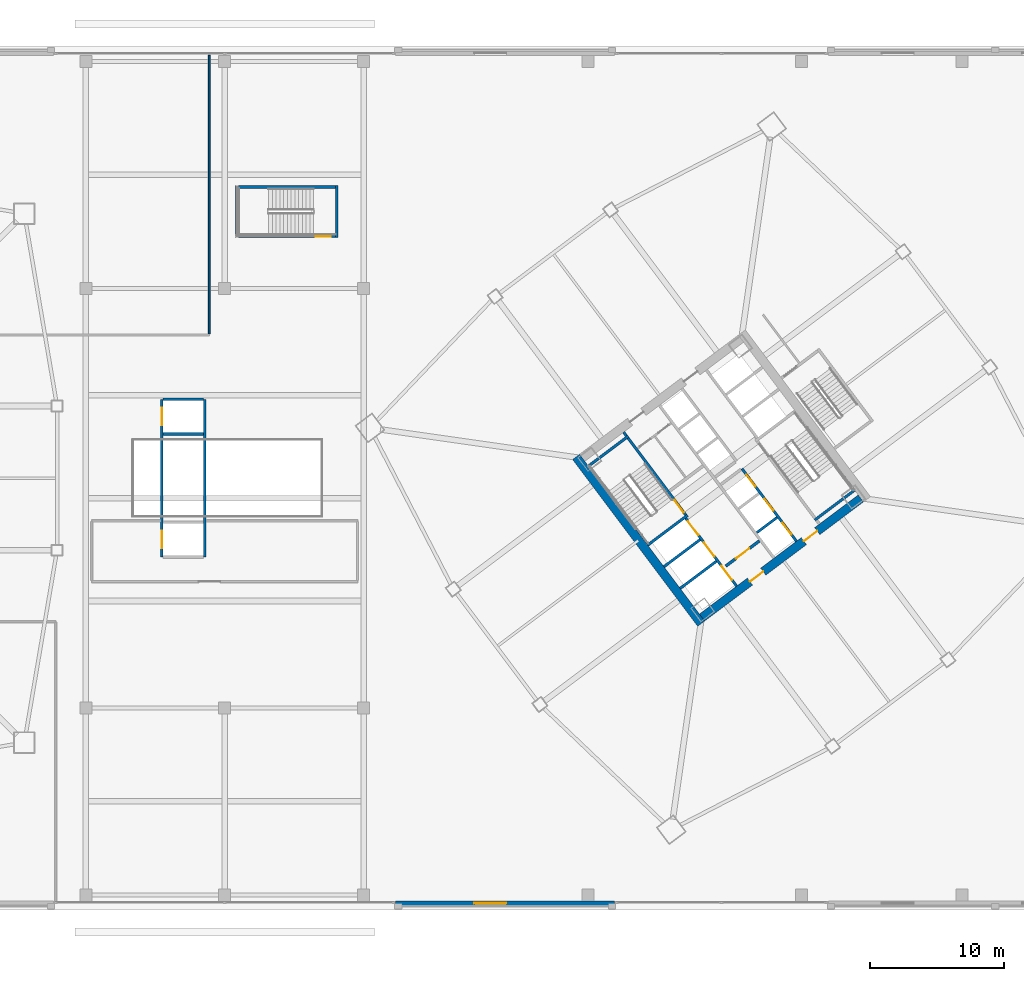
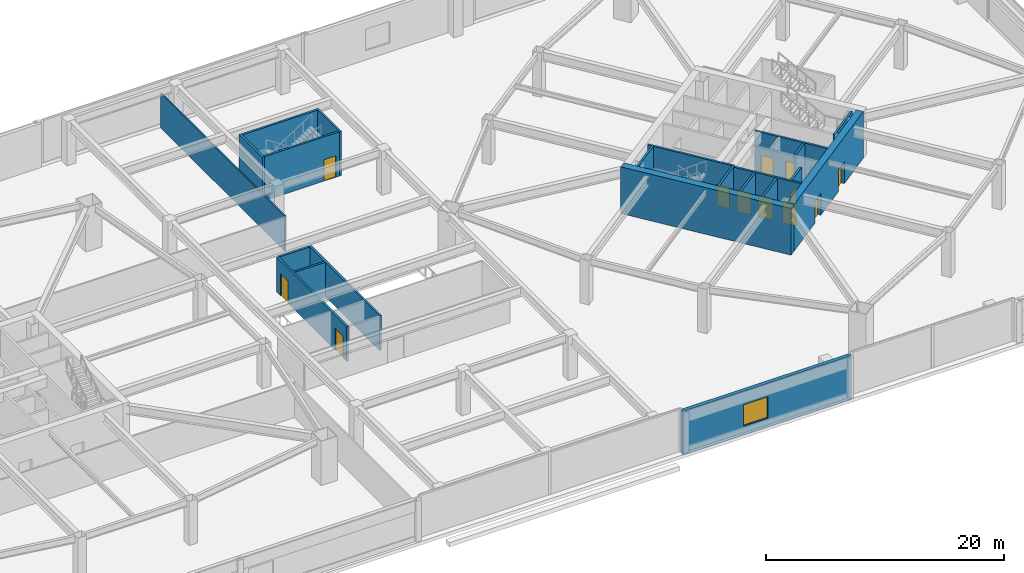
# One storey, part 32 of 44: 22 walls, 13 doors, 1 window, 14 openings.
"""IFC4 building model written with IfcOpenShell, lengths in metres."""

from ifc_helpers import new_model, si_unit, direction, frame, frame_2d, origin, place, context, subcontext, project, spatial, rectangle, extrude, material, layer, layer_set, type_object, element, fill, save


model = new_model("IFC4")

# Units and contexts
model_context = context("Model", 3, precision=1e-05, world=origin(), true_north=direction((0.0, 1.0)))
body_context = subcontext(model_context, "Body", "Model", "MODEL_VIEW")
ifc_project = project(units=[si_unit("LENGTHUNIT", "METRE"), si_unit("AREAUNIT", "SQUARE_METRE"), si_unit("VOLUMEUNIT", "CUBIC_METRE"), si_unit("PLANEANGLEUNIT", "RADIAN"), si_unit("MASSUNIT", "GRAM", prefix="KILO")], contexts=[model_context])

# Site, building, storey
site_placement = place(None, origin())
site = spatial("IfcSite", under=ifc_project, at=site_placement, CompositionType="ELEMENT")
building_placement = place(site_placement, origin())
building = spatial("IfcBuilding", under=site, at=building_placement, Name="Tashvorn Skyway Center", CompositionType="ELEMENT")
storey_placement = place(building_placement, frame((0.0, 0.0, 5.39990234375)))
storey = spatial("IfcBuildingStorey", under=building, at=storey_placement, Name="L01", CompositionType="ELEMENT", Elevation=5.39990234375)

# Wall
ifc_material_1 = material(Name="Concrete C60/75", Category="concrete")
ifc_layer_1 = layer(ifc_material_1, 0.64990234375)
ifc_layer_set_1 = layer_set([ifc_layer_1], Name="Concrete C60/75")
wall_type_1 = type_object("IfcWallType", Name="WALL-CORE-650", PredefinedType="SHEAR", material=ifc_layer_set_1)
wall_1_placement = place(storey_placement, frame((112.47607421875, 21.10693359375, 0.0), z_axis=(0.0, 0.0, 1.0), x_axis=(-0.600005007985, 0.799996243986, 0.0)))
element("IfcWall", 1, at=wall_1_placement, inside=storey, type_object=wall_type_1, Name="Tower 2 L01 West Core Shear Wall", PredefinedType="SHEAR", context=body_context, shape_type="SweptSolid", body=[
    extrude(rectangle(XDim=15.60009765625, YDim=0.64990234375, at=frame_2d((7.800048828125, 0.0))), origin(), (0.0, 0.0, 1.0), 4.800048828125),
])

# Wall, openings, doors
wall_2_placement = place(storey_placement, frame((124.428955078125, 30.47802734375, 0.0), z_axis=(0.0, 0.0, 1.0), x_axis=(-0.799998028465, -0.600002628705, 0.0)))
wall_2 = element("IfcWall", 2, at=wall_2_placement, inside=storey, type_object=wall_type_1, Name="Tower 2 L01 South Core Shear Wall", PredefinedType="SHEAR", context=body_context, shape_type="SweptSolid", body=[
    extrude(rectangle(XDim=14.85986328125, YDim=0.64990234375, at=frame_2d((7.429931640625, 0.0))), origin(), (0.0, 0.0, 1.0), 4.800048828125),
])
opening_1_placement = place(wall_2_placement, frame((9.1298828125, 0.0, 0.0)))
opening_1 = element("IfcOpeningElement", 3, at=opening_1_placement, cuts=wall_2, Name="Opening D-FFL-1250", PredefinedType="OPENING", context=body_context, shape_type="SweptSolid", body=[
    extrude(rectangle(XDim=1.25, YDim=2.25, at=frame_2d((0.625, 1.125))), frame((0.0, 0.3349609375, 0.0), z_axis=(0.0, -1.0, 0.0), x_axis=(1.0, 0.0, 0.0)), (0.0, 0.0, 1.0), 0.669921875),
])
opening_2_placement = place(wall_2_placement, frame((4.080078125, 0.0, 0.0)))
opening_2 = element("IfcOpeningElement", 4, at=opening_2_placement, cuts=wall_2, Name="Opening D-FFL-1250", PredefinedType="OPENING", context=body_context, shape_type="SweptSolid", body=[
    extrude(rectangle(XDim=1.25, YDim=2.25, at=frame_2d((0.625, 1.125))), frame((0.0, 0.3349609375, 0.0), z_axis=(0.0, -1.0, 0.0), x_axis=(1.0, 0.0, 0.0)), (0.0, 0.0, 1.0), 0.669921875),
])
ifc_material_2 = material(Name="Hollow galvanized steel fire door assembly", Category="steel")
door_type_1 = type_object("IfcDoorType", Name="DOOR-FFL-1250", OperationType="NOTDEFINED", PredefinedType="DOOR", material=ifc_material_2)
door_1_placement = place(opening_1_placement, origin())
door_1 = element("IfcDoor", 5, at=door_1_placement, inside=storey, type_object=door_type_1, Name="Tower 2 L01 Core South Firefighting Exit Door", OperationType="SINGLE_SWING_LEFT", OverallHeight=2.25, OverallWidth=1.25, PredefinedType="DOOR", context=body_context, shape_type="SweptSolid", body=[
    extrude(rectangle(XDim=1.25, YDim=2.25, at=frame_2d((0.625, 1.125))), frame((0.0, 0.02490234375, 0.0), z_axis=(0.0, -1.0, 0.0), x_axis=(1.0, 0.0, 0.0)), (0.0, 0.0, 1.0), 0.050048828125),
])
fill(opening_1, door_1)
door_2_placement = place(opening_2_placement, origin())
door_2 = element("IfcDoor", 6, at=door_2_placement, inside=storey, type_object=door_type_1, Name="Tower 2 L01 Core South Lift Lobby Door", OperationType="SINGLE_SWING_RIGHT", OverallHeight=2.25, OverallWidth=1.25, PredefinedType="DOOR", context=body_context, shape_type="SweptSolid", body=[
    extrude(rectangle(XDim=1.25, YDim=2.25, at=frame_2d((0.625, 1.125))), frame((0.0, 0.02490234375, 0.0), z_axis=(0.0, -1.0, 0.0), x_axis=(1.0, 0.0, 0.0)), (0.0, 0.0, 1.0), 0.050048828125),
])
fill(opening_2, door_2)

# Wall, opening, window
ifc_material_3 = material(Name="Precast concrete C40/50", Category="concrete")
ifc_layer_2 = layer(ifc_material_3, 0.35009765625)
ifc_layer_set_2 = layer_set([ifc_layer_2], Name="Precast concrete C40/50")
wall_type_2 = type_object("IfcWallType", Name="WALL-EXT-350", PredefinedType="SOLIDWALL", material=ifc_layer_set_2)
wall_3_placement = place(storey_placement, frame((106.0, 0.175048828125, 0.0), z_axis=(0.0, 0.0, 1.0), x_axis=(-1.0, 0.0, 0.0)))
wall_3 = element("IfcWall", 7, at=wall_3_placement, inside=storey, type_object=wall_type_2, Name="L01 South Postmodern Pier Wall M2", PredefinedType="SOLIDWALL", context=body_context, shape_type="SweptSolid", body=[
    extrude(rectangle(XDim=16.39990234375, YDim=0.35009765625, at=frame_2d((8.199951171875, 0.0))), origin(), (0.0, 0.0, 1.0), 4.5400390625),
])
opening_3_placement = place(wall_3_placement, frame((8.10009765625, 0.0, 0.949951171875)))
opening_3 = element("IfcOpeningElement", 8, at=opening_3_placement, cuts=wall_3, Name="Opening WIN-2400", PredefinedType="OPENING", context=body_context, shape_type="SweptSolid", body=[
    extrude(rectangle(XDim=2.39990234375, YDim=2.199951171875, at=frame_2d((1.199951171875, 1.10009765625))), frame((0.0, 0.18505859375, 0.0), z_axis=(0.0, -1.0, 0.0), x_axis=(1.0, 0.0, 0.0)), (0.0, 0.0, 1.0), 0.3701171875),
])
ifc_material_4 = material(Name="Low-E solar-control double insulating safety glass", Category="glass")
window_type = type_object("IfcWindowType", Name="WIN-POD-2400", PartitioningType="SINGLE_PANEL", PredefinedType="WINDOW", material=ifc_material_4)
window_placement = place(opening_3_placement, origin())
window = element("IfcWindow", 9, at=window_placement, inside=storey, type_object=window_type, Name="L01 South Station Pier Window 05", OverallHeight=2.199951171875, OverallWidth=2.39990234375, PartitioningType="SINGLE_PANEL", PredefinedType="WINDOW", context=body_context, shape_type="SweptSolid", body=[
    extrude(rectangle(XDim=2.39990234375, YDim=2.199951171875, at=frame_2d((1.199951171875, 1.10009765625))), frame((0.0, 0.030029296875, 0.0), z_axis=(0.0, -1.0, 0.0), x_axis=(1.0, 0.0, 0.0)), (0.0, 0.0, 1.0), 0.06005859375),
])
fill(opening_3, window)

# Wall, opening, door
ifc_material_5 = material(Name="Concrete C40/50", Category="concrete")
ifc_layer_3 = layer(ifc_material_5, 0.219970703125)
ifc_layer_set_3 = layer_set([ifc_layer_3], Name="Concrete C40/50")
wall_type_3 = type_object("IfcWallType", Name="WALL-FFL-220", PredefinedType="SOLIDWALL", material=ifc_layer_set_3)
wall_4_placement = place(storey_placement, frame((114.31591796875, 25.412109375, 0.0), z_axis=(0.0, 0.0, 1.0), x_axis=(0.800018601094, 0.59997519774, 0.0)))
wall_4 = element("IfcWall", 10, at=wall_4_placement, inside=storey, type_object=wall_type_3, Name="Tower 2 L01 Firefighting Lobby South Wall", PredefinedType="SOLIDWALL", context=body_context, shape_type="SweptSolid", body=[
    extrude(rectangle(XDim=3.14990234375, YDim=0.219970703125, at=frame_2d((1.574951171875, 0.0))), origin(), (0.0, 0.0, 1.0), 3.5830078125),
])
opening_4_placement = place(wall_4_placement, frame((0.949951171875, 0.0, 0.0)))
opening_4 = element("IfcOpeningElement", 11, at=opening_4_placement, cuts=wall_4, Name="Opening D-FFL-1250", PredefinedType="OPENING", context=body_context, shape_type="SweptSolid", body=[
    extrude(rectangle(XDim=1.25, YDim=2.25, at=frame_2d((0.625, 1.125))), frame((0.0, 0.119873046875, 0.0), z_axis=(0.0, -1.0, 0.0), x_axis=(1.0, 0.0, 0.0)), (0.0, 0.0, 1.0), 0.239990234375),
])
door_3_placement = place(opening_4_placement, origin())
door_3 = element("IfcDoor", 12, at=door_3_placement, inside=storey, type_object=door_type_1, Name="Tower 2 L01 Firefighting Lobby Egress Door", OperationType="SINGLE_SWING_LEFT", OverallHeight=2.25, OverallWidth=1.25, PredefinedType="DOOR", context=body_context, shape_type="SweptSolid", body=[
    extrude(rectangle(XDim=1.25, YDim=2.25, at=frame_2d((0.625, 1.125))), frame((0.0, 0.02490234375, 0.0), z_axis=(0.0, -1.0, 0.0), x_axis=(1.0, 0.0, 0.0)), (0.0, 0.0, 1.0), 0.050048828125),
])
fill(opening_4, door_3)

# Walls
ifc_material_6 = material(Name="Gypsum board on cold-formed steel stud framing", Category="steel")
ifc_layer_4 = layer(ifc_material_6, 0.135009765625)
ifc_layer_set_4 = layer_set([ifc_layer_4], Name="Gypsum board on cold-formed steel stud framing")
wall_type_4 = type_object("IfcWallType", Name="WALL-PART-135", PredefinedType="PARTITIONING", material=ifc_layer_set_4)
wall_5_placement = place(storey_placement, frame((75.64990234375, 42.800048828125, 0.0), z_axis=(0.0, 0.0, 1.0), x_axis=(0.0, 1.0, 0.0)))
element("IfcWall", 13, at=wall_5_placement, inside=storey, type_object=wall_type_4, Name="L01 North Suite East Wall", PredefinedType="PARTITIONING", context=body_context, shape_type="SweptSolid", body=[
    extrude(rectangle(XDim=20.849853515625, YDim=0.135009765625, at=frame_2d((10.4248046875, 0.0))), origin(), (0.0, 0.0, 1.0), 3.5830078125),
])
ifc_layer_5 = layer(ifc_material_5, 0.199951171875)
ifc_layer_set_5 = layer_set([ifc_layer_5], Name="Concrete C40/50")
wall_type_5 = type_object("IfcWallType", Name="WALL-SHAFT-200", PredefinedType="SOLIDWALL", material=ifc_layer_set_5)
for number, where, z_axis, x_axis, name in (
    (14, (110.906005859375, 23.741943359375, 0.0), (0.0, 0.0, 1.0), (0.8, 0.6, 0.0), "Tower 2 L01 FSAE Shaft Divider"),
    (15, (109.68798828125, 25.365966796875, 0.0), (0.0, 0.0, 1.0), (0.8, 0.6, 0.0), "Tower 2 L01 FSAE Shaft Divider"),
):
    element("IfcWall", number, at=place(storey_placement, frame(where, z_axis=z_axis, x_axis=x_axis)), inside=storey, type_object=wall_type_5, Name=name, PredefinedType="SOLIDWALL", context=body_context, shape_type="SweptSolid", body=[
        extrude(rectangle(XDim=3.380126953125, YDim=0.199951171875, at=frame_2d((1.68994140625, 0.0))), origin(), (0.0, 0.0, 1.0), 4.5400390625),
    ])

# Wall, openings, doors
wall_6_placement = place(storey_placement, frame((119.610107421875, 27.27001953125, 0.0), z_axis=(0.0, 0.0, 1.0), x_axis=(-0.600011488909, 0.79999138319, 0.0)))
wall_6 = element("IfcWall", 16, at=wall_6_placement, inside=storey, type_object=wall_type_5, Name="Tower 2 L01 Low-Rise Core Wall", PredefinedType="SOLIDWALL", context=body_context, shape_type="SweptSolid", body=[
    extrude(rectangle(XDim=6.800048828125, YDim=0.199951171875, at=frame_2d((3.39990234375, 0.0))), origin(), (0.0, 0.0, 1.0), 4.5400390625),
])
opening_5_placement = place(wall_6_placement, frame((0.625, 0.0, 0.0)))
opening_5 = element("IfcOpeningElement", 17, at=opening_5_placement, cuts=wall_6, Name="Opening LD-LR-T2-1-L01", PredefinedType="OPENING", context=body_context, shape_type="SweptSolid", body=[
    extrude(rectangle(XDim=1.10009765625, YDim=2.199951171875, at=frame_2d((0.550048828125, 1.10009765625))), frame((0.0, 0.10986328125, 0.0), z_axis=(0.0, -1.0, 0.0), x_axis=(1.0, 0.0, 0.0)), (0.0, 0.0, 1.0), 0.219970703125),
])
opening_6_placement = place(wall_6_placement, frame((2.875, 0.0, 0.0)))
opening_6 = element("IfcOpeningElement", 18, at=opening_6_placement, cuts=wall_6, Name="Opening LD-LR-T2-2-L01", PredefinedType="OPENING", context=body_context, shape_type="SweptSolid", body=[
    extrude(rectangle(XDim=1.10009765625, YDim=2.199951171875, at=frame_2d((0.550048828125, 1.10009765625))), frame((0.0, 0.10986328125, 0.0), z_axis=(0.0, -1.0, 0.0), x_axis=(1.0, 0.0, 0.0)), (0.0, 0.0, 1.0), 0.219970703125),
])
opening_7_placement = place(wall_6_placement, frame((5.125, 0.0, 0.0)))
opening_7 = element("IfcOpeningElement", 19, at=opening_7_placement, cuts=wall_6, Name="Opening LD-LR-T2-3-L01", PredefinedType="OPENING", context=body_context, shape_type="SweptSolid", body=[
    extrude(rectangle(XDim=1.10009765625, YDim=2.199951171875, at=frame_2d((0.550048828125, 1.10009765625))), frame((0.0, 0.10986328125, 0.0), z_axis=(0.0, -1.0, 0.0), x_axis=(1.0, 0.0, 0.0)), (0.0, 0.0, 1.0), 0.219970703125),
])
ifc_material_7 = material(Name="Stainless steel landing door", Category="steel")
door_type_2 = type_object("IfcDoorType", Name="DOOR-LIFT-1100", OperationType="SLIDING_TO_LEFT", PredefinedType="DOOR", material=ifc_material_7)
door_4_placement = place(opening_5_placement, origin())
door_4 = element("IfcDoor", 20, at=door_4_placement, inside=storey, type_object=door_type_2, Name="Lift LR-T2-1 L01 Landing Door", OperationType="SLIDING_TO_LEFT", OverallHeight=2.199951171875, OverallWidth=1.10009765625, PredefinedType="DOOR", context=body_context, shape_type="SweptSolid", body=[
    extrude(rectangle(XDim=1.10009765625, YDim=2.199951171875, at=frame_2d((0.550048828125, 1.10009765625))), frame((0.0, 0.02490234375, 0.0), z_axis=(0.0, -1.0, 0.0), x_axis=(1.0, 0.0, 0.0)), (0.0, 0.0, 1.0), 0.050048828125),
])
fill(opening_5, door_4)
door_5_placement = place(opening_6_placement, origin())
door_5 = element("IfcDoor", 21, at=door_5_placement, inside=storey, type_object=door_type_2, Name="Lift LR-T2-2 L01 Landing Door", OperationType="SLIDING_TO_LEFT", OverallHeight=2.199951171875, OverallWidth=1.10009765625, PredefinedType="DOOR", context=body_context, shape_type="SweptSolid", body=[
    extrude(rectangle(XDim=1.10009765625, YDim=2.199951171875, at=frame_2d((0.550048828125, 1.10009765625))), frame((0.0, 0.02490234375, 0.0), z_axis=(0.0, -1.0, 0.0), x_axis=(1.0, 0.0, 0.0)), (0.0, 0.0, 1.0), 0.050048828125),
])
fill(opening_6, door_5)
door_6_placement = place(opening_7_placement, origin())
door_6 = element("IfcDoor", 22, at=door_6_placement, inside=storey, type_object=door_type_2, Name="Lift LR-T2-3 L01 Landing Door", OperationType="SLIDING_TO_LEFT", OverallHeight=2.199951171875, OverallWidth=1.10009765625, PredefinedType="DOOR", context=body_context, shape_type="SweptSolid", body=[
    extrude(rectangle(XDim=1.10009765625, YDim=2.199951171875, at=frame_2d((0.550048828125, 1.10009765625))), frame((0.0, 0.02490234375, 0.0), z_axis=(0.0, -1.0, 0.0), x_axis=(1.0, 0.0, 0.0)), (0.0, 0.0, 1.0), 0.050048828125),
])
fill(opening_7, door_6)

# Wall
wall_7_placement = place(storey_placement, frame((116.64599609375, 27.922119140625, 0.0), z_axis=(0.0, 0.0, 1.0), x_axis=(0.8, 0.6, 0.0)))
element("IfcWall", 23, at=wall_7_placement, inside=storey, type_object=wall_type_5, Name="Tower 2 L01 Low-Rise Shaft Divider", PredefinedType="SOLIDWALL", context=body_context, shape_type="SweptSolid", body=[
    extrude(rectangle(XDim=1.8798828125, YDim=0.199951171875, at=frame_2d((0.93994140625, 0.0))), origin(), (0.0, 0.0, 1.0), 4.5400390625),
])

# Wall, openings, doors
wall_8_placement = place(storey_placement, frame((72.10009765625, 26.10009765625, 0.0), z_axis=(0.0, 0.0, 1.0), x_axis=(0.0, 1.0, 0.0)))
wall_8 = element("IfcWall", 24, at=wall_8_placement, inside=storey, type_object=wall_type_5, Name="L01 Station Lift Front Wall", PredefinedType="SOLIDWALL", context=body_context, shape_type="SweptSolid", body=[
    extrude(rectangle(XDim=11.7998046875, YDim=0.199951171875, at=frame_2d((5.89990234375, 0.0))), origin(), (0.0, 0.0, 1.0), 3.5830078125),
])
opening_8_placement = place(wall_8_placement, frame((0.64990234375, 0.0, 0.0)))
opening_8 = element("IfcOpeningElement", 25, at=opening_8_placement, cuts=wall_8, Name="Opening LD-STN-L1-L01", PredefinedType="OPENING", context=body_context, shape_type="SweptSolid", body=[
    extrude(rectangle(XDim=1.300048828125, YDim=2.25, at=frame_2d((0.64990234375, 1.125))), frame((0.0, 0.10986328125, 0.0), z_axis=(0.0, -1.0, 0.0), x_axis=(1.0, 0.0, 0.0)), (0.0, 0.0, 1.0), 0.219970703125),
])
opening_9_placement = place(wall_8_placement, frame((9.85009765625, 0.0, 0.0)))
opening_9 = element("IfcOpeningElement", 26, at=opening_9_placement, cuts=wall_8, Name="Opening LD-STN-L2-L01", PredefinedType="OPENING", context=body_context, shape_type="SweptSolid", body=[
    extrude(rectangle(XDim=1.300048828125, YDim=2.25, at=frame_2d((0.64990234375, 1.125))), frame((0.0, 0.10986328125, 0.0), z_axis=(0.0, -1.0, 0.0), x_axis=(1.0, 0.0, 0.0)), (0.0, 0.0, 1.0), 0.219970703125),
])
ifc_material_8 = material(Name="Stainless steel heavy-duty landing door", Category="steel")
door_type_3 = type_object("IfcDoorType", Name="DOOR-LIFT-1300", OperationType="SLIDING_TO_LEFT", PredefinedType="DOOR", material=ifc_material_8)
door_7_placement = place(opening_8_placement, origin())
door_7 = element("IfcDoor", 27, at=door_7_placement, inside=storey, type_object=door_type_3, Name="Station Lift STN-L1 L01 Landing Door", OperationType="SLIDING_TO_LEFT", OverallHeight=2.25, OverallWidth=1.300048828125, PredefinedType="DOOR", context=body_context, shape_type="SweptSolid", body=[
    extrude(rectangle(XDim=1.300048828125, YDim=2.25, at=frame_2d((0.64990234375, 1.125))), frame((0.0, 0.02490234375, 0.0), z_axis=(0.0, -1.0, 0.0), x_axis=(1.0, 0.0, 0.0)), (0.0, 0.0, 1.0), 0.050048828125),
])
fill(opening_8, door_7)
door_8_placement = place(opening_9_placement, origin())
door_8 = element("IfcDoor", 28, at=door_8_placement, inside=storey, type_object=door_type_3, Name="Station Lift STN-L2 L01 Landing Door", OperationType="SLIDING_TO_LEFT", OverallHeight=2.25, OverallWidth=1.300048828125, PredefinedType="DOOR", context=body_context, shape_type="SweptSolid", body=[
    extrude(rectangle(XDim=1.300048828125, YDim=2.25, at=frame_2d((0.64990234375, 1.125))), frame((0.0, 0.02490234375, 0.0), z_axis=(0.0, -1.0, 0.0), x_axis=(1.0, 0.0, 0.0)), (0.0, 0.0, 1.0), 0.050048828125),
])
fill(opening_9, door_8)

# Walls
wall_9_placement = place(storey_placement, frame((75.300048828125, 26.10009765625, 0.0), z_axis=(0.0, 0.0, 1.0), x_axis=(0.0, 1.0, 0.0)))
element("IfcWall", 29, at=wall_9_placement, inside=storey, type_object=wall_type_5, Name="L01 Station Lift Rear Wall", PredefinedType="SOLIDWALL", context=body_context, shape_type="SweptSolid", body=[
    extrude(rectangle(XDim=11.7998046875, YDim=0.199951171875, at=frame_2d((5.89990234375, 0.0))), origin(), (0.0, 0.0, 1.0), 3.5830078125),
])
for number, where, z_axis, x_axis, name in (
    (30, (72.199951171875, 35.300048828125, 0.0), (0.0, 0.0, 1.0), (1.0, 0.0, 0.0), "L01 Station Lift Divider"),
    (31, (72.199951171875, 37.89990234375, 0.0), (0.0, 0.0, 1.0), (1.0, 0.0, 0.0), "L01 Station Lift Divider"),
):
    element("IfcWall", number, at=place(storey_placement, frame(where, z_axis=z_axis, x_axis=x_axis)), inside=storey, type_object=wall_type_5, Name=name, PredefinedType="SOLIDWALL", context=body_context, shape_type="SweptSolid", body=[
        extrude(rectangle(XDim=3.0, YDim=0.199951171875, at=frame_2d((1.5, 0.0))), origin(), (0.0, 0.0, 1.0), 3.5830078125),
    ])

# Wall, opening, door
ifc_layer_6 = layer(ifc_material_5, 0.199951171875)
ifc_layer_set_6 = layer_set([ifc_layer_6], Name="Concrete C40/50")
wall_type_6 = type_object("IfcWallType", Name="WALL-STSHF-200", PredefinedType="SHEAR", material=ifc_layer_set_6)
wall_10_placement = place(storey_placement, frame((111.43994140625, 29.080078125, 0.0), z_axis=(0.0, 0.0, 1.0), x_axis=(-0.600009827119, 0.799992629566, 0.0)))
wall_10 = element("IfcWall", 32, at=wall_10_placement, inside=storey, type_object=wall_type_6, Name="Tower 2 L01 Stair 1 Enclosure Wall", PredefinedType="SHEAR", context=body_context, shape_type="SweptSolid", body=[
    extrude(rectangle(XDim=7.949951171875, YDim=0.199951171875, at=frame_2d((3.97509765625, 0.0))), origin(), (0.0, 0.0, 1.0), 4.5400390625),
])
opening_10_placement = place(wall_10_placement, frame((0.449951171875, 0.0, 0.0)))
opening_10 = element("IfcOpeningElement", 33, at=opening_10_placement, cuts=wall_10, Name="Opening D-ST-1150", PredefinedType="OPENING", context=body_context, shape_type="SweptSolid", body=[
    extrude(rectangle(XDim=1.14990234375, YDim=2.199951171875, at=frame_2d((0.574951171875, 1.10009765625))), frame((0.0, 0.10986328125, 0.0), z_axis=(0.0, -1.0, 0.0), x_axis=(1.0, 0.0, 0.0)), (0.0, 0.0, 1.0), 0.219970703125),
])
door_type_4 = type_object("IfcDoorType", Name="DOOR-STAIR-1150", OperationType="NOTDEFINED", PredefinedType="DOOR", material=ifc_material_2)
door_9_placement = place(opening_10_placement, origin())
door_9 = element("IfcDoor", 34, at=door_9_placement, inside=storey, type_object=door_type_4, Name="Tower 2 L01 Exit Stair 1 Door", OperationType="SINGLE_SWING_RIGHT", OverallHeight=2.199951171875, OverallWidth=1.14990234375, PredefinedType="DOOR", context=body_context, shape_type="SweptSolid", body=[
    extrude(rectangle(XDim=1.14990234375, YDim=2.199951171875, at=frame_2d((0.574951171875, 1.10009765625))), frame((0.0, 0.02490234375, 0.0), z_axis=(0.0, -1.0, 0.0), x_axis=(1.0, 0.0, 0.0)), (0.0, 0.0, 1.0), 0.050048828125),
])
fill(opening_10, door_9)

# Walls
for number, where, z_axis, x_axis, name in (
    (35, (108.47607421875, 26.98193359375, 0.0), (0.0, 0.0, 1.0), (0.799984290658, 0.600020945218, 0.0), "Tower 2 L01 Stair 1 South Wall"),
    (36, (104.035888671875, 32.902099609375, 0.0), (0.0, 0.0, 1.0), (0.800039270442, 0.59994763584, 0.0), "Tower 2 L01 Stair 1 North Wall"),
    (37, (120.97998046875, 28.860107421875, 0.0), (0.0, 0.0, 1.0), (0.800039270442, 0.59994763584, 0.0), "Tower 2 L01 Stair 2 South Wall"),
):
    element("IfcWall", number, at=place(storey_placement, frame(where, z_axis=z_axis, x_axis=x_axis)), inside=storey, type_object=wall_type_6, Name=name, PredefinedType="SHEAR", context=body_context, shape_type="SweptSolid", body=[
        extrude(rectangle(XDim=3.72998046875, YDim=0.199951171875, at=frame_2d((1.864990234375, 0.0))), origin(), (0.0, 0.0, 1.0), 4.5400390625),
    ])

# Wall, openings, doors
wall_11_placement = place(storey_placement, frame((115.1298828125, 23.909912109375, 0.0), z_axis=(0.0, 0.0, 1.0), x_axis=(-0.599975393228, 0.800018454488, 0.0)))
wall_11 = element("IfcWall", 38, at=wall_11_placement, inside=storey, type_object=wall_type_6, Name="Tower 2 L01 FSAE and Goods Shaft Front Wall", PredefinedType="SHEAR", context=body_context, shape_type="SweptSolid", body=[
    extrude(rectangle(XDim=6.349853515625, YDim=0.199951171875, at=frame_2d((3.1748046875, 0.0))), origin(), (0.0, 0.0, 1.0), 4.5400390625),
])
opening_11_placement = place(wall_11_placement, frame((4.77490234375, 0.0, 0.0)))
opening_11 = element("IfcOpeningElement", 39, at=opening_11_placement, cuts=wall_11, Name="Opening LD-FF-T2-1-L01", PredefinedType="OPENING", context=body_context, shape_type="SweptSolid", body=[
    extrude(rectangle(XDim=1.300048828125, YDim=2.25, at=frame_2d((0.64990234375, 1.125))), frame((0.0, 0.10986328125, 0.0), z_axis=(0.0, -1.0, 0.0), x_axis=(1.0, 0.0, 0.0)), (0.0, 0.0, 1.0), 0.219970703125),
])
opening_12_placement = place(wall_11_placement, frame((2.77490234375, 0.0, 0.0)))
opening_12 = element("IfcOpeningElement", 40, at=opening_12_placement, cuts=wall_11, Name="Opening LD-FF-T2-2-L01", PredefinedType="OPENING", context=body_context, shape_type="SweptSolid", body=[
    extrude(rectangle(XDim=1.300048828125, YDim=2.25, at=frame_2d((0.64990234375, 1.125))), frame((0.0, 0.10986328125, 0.0), z_axis=(0.0, -1.0, 0.0), x_axis=(1.0, 0.0, 0.0)), (0.0, 0.0, 1.0), 0.219970703125),
])
opening_13_placement = place(wall_11_placement, frame((0.574951171875, 0.0, 0.0)))
opening_13 = element("IfcOpeningElement", 41, at=opening_13_placement, cuts=wall_11, Name="Opening LD-GD-T2-1-L01", PredefinedType="OPENING", context=body_context, shape_type="SweptSolid", body=[
    extrude(rectangle(XDim=1.300048828125, YDim=2.25, at=frame_2d((0.64990234375, 1.125))), frame((0.0, 0.10986328125, 0.0), z_axis=(0.0, -1.0, 0.0), x_axis=(1.0, 0.0, 0.0)), (0.0, 0.0, 1.0), 0.219970703125),
])
door_10_placement = place(opening_11_placement, origin())
door_10 = element("IfcDoor", 42, at=door_10_placement, inside=storey, type_object=door_type_3, Name="Lift FF-T2-1 L01 Landing Door", OperationType="SLIDING_TO_LEFT", OverallHeight=2.25, OverallWidth=1.300048828125, PredefinedType="DOOR", context=body_context, shape_type="SweptSolid", body=[
    extrude(rectangle(XDim=1.300048828125, YDim=2.25, at=frame_2d((0.64990234375, 1.125))), frame((0.0, 0.02490234375, 0.0), z_axis=(0.0, -1.0, 0.0), x_axis=(1.0, 0.0, 0.0)), (0.0, 0.0, 1.0), 0.050048828125),
])
fill(opening_11, door_10)
door_11_placement = place(opening_12_placement, origin())
door_11 = element("IfcDoor", 43, at=door_11_placement, inside=storey, type_object=door_type_3, Name="Lift FF-T2-2 L01 Landing Door", OperationType="SLIDING_TO_LEFT", OverallHeight=2.25, OverallWidth=1.300048828125, PredefinedType="DOOR", context=body_context, shape_type="SweptSolid", body=[
    extrude(rectangle(XDim=1.300048828125, YDim=2.25, at=frame_2d((0.64990234375, 1.125))), frame((0.0, 0.02490234375, 0.0), z_axis=(0.0, -1.0, 0.0), x_axis=(1.0, 0.0, 0.0)), (0.0, 0.0, 1.0), 0.050048828125),
])
fill(opening_12, door_11)
door_12_placement = place(opening_13_placement, origin())
door_12 = element("IfcDoor", 44, at=door_12_placement, inside=storey, type_object=door_type_3, Name="Lift GD-T2-1 L01 Landing Door", OperationType="SLIDING_TO_LEFT", OverallHeight=2.25, OverallWidth=1.300048828125, PredefinedType="DOOR", context=body_context, shape_type="SweptSolid", body=[
    extrude(rectangle(XDim=1.300048828125, YDim=2.25, at=frame_2d((0.64990234375, 1.125))), frame((0.0, 0.02490234375, 0.0), z_axis=(0.0, -1.0, 0.0), x_axis=(1.0, 0.0, 0.0)), (0.0, 0.0, 1.0), 0.050048828125),
])
fill(opening_13, door_12)

# Wall, opening, door
wall_12_placement = place(storey_placement, frame((77.60009765625, 50.10009765625, 0.0), z_axis=(0.0, 0.0, 1.0), x_axis=(1.0, 0.0, 0.0)))
wall_12 = element("IfcWall", 45, at=wall_12_placement, inside=storey, type_object=wall_type_6, Name="L01 Podium Stair 2 South Wall", PredefinedType="SHEAR", context=body_context, shape_type="SweptSolid", body=[
    extrude(rectangle(XDim=7.699951171875, YDim=0.199951171875, at=frame_2d((3.85009765625, 0.0))), origin(), (0.0, 0.0, 1.0), 4.5400390625),
])
opening_14_placement = place(wall_12_placement, frame((6.0, 0.0, 0.0)))
opening_14 = element("IfcOpeningElement", 46, at=opening_14_placement, cuts=wall_12, Name="Opening D-ST-1150", PredefinedType="OPENING", context=body_context, shape_type="SweptSolid", body=[
    extrude(rectangle(XDim=1.14990234375, YDim=2.199951171875, at=frame_2d((0.574951171875, 1.10009765625))), frame((0.0, 0.10986328125, 0.0), z_axis=(0.0, -1.0, 0.0), x_axis=(1.0, 0.0, 0.0)), (0.0, 0.0, 1.0), 0.219970703125),
])
door_13_placement = place(opening_14_placement, origin())
door_13 = element("IfcDoor", 47, at=door_13_placement, inside=storey, type_object=door_type_4, Name="L01 Podium Stair 2 Door", OperationType="SINGLE_SWING_RIGHT", OverallHeight=2.199951171875, OverallWidth=1.14990234375, PredefinedType="DOOR", context=body_context, shape_type="SweptSolid", body=[
    extrude(rectangle(XDim=1.14990234375, YDim=2.199951171875, at=frame_2d((0.574951171875, 1.10009765625))), frame((0.0, 0.02490234375, 0.0), z_axis=(0.0, -1.0, 0.0), x_axis=(1.0, 0.0, 0.0)), (0.0, 0.0, 1.0), 0.050048828125),
])
fill(opening_14, door_13)

# Walls
wall_13_placement = place(storey_placement, frame((77.60009765625, 53.800048828125, 0.0), z_axis=(0.0, 0.0, 1.0), x_axis=(1.0, 0.0, 0.0)))
element("IfcWall", 48, at=wall_13_placement, inside=storey, type_object=wall_type_6, Name="L01 Podium Stair 2 North Wall", PredefinedType="SHEAR", context=body_context, shape_type="SweptSolid", body=[
    extrude(rectangle(XDim=7.699951171875, YDim=0.199951171875, at=frame_2d((3.85009765625, 0.0))), origin(), (0.0, 0.0, 1.0), 4.5400390625),
])
for number, where, z_axis, x_axis, name in (
    (49, (77.699951171875, 50.0, 0.0), (0.0, 0.0, 1.0), (0.0, 1.0, 0.0), "L01 Podium Stair 2 West Wall"),
    (50, (85.199951171875, 50.0, 0.0), (0.0, 0.0, 1.0), (0.0, 1.0, 0.0), "L01 Podium Stair 2 East Wall"),
):
    element("IfcWall", number, at=place(storey_placement, frame(where, z_axis=z_axis, x_axis=x_axis)), inside=storey, type_object=wall_type_6, Name=name, PredefinedType="SHEAR", context=body_context, shape_type="SweptSolid", body=[
        extrude(rectangle(XDim=3.89990234375, YDim=0.199951171875, at=frame_2d((1.949951171875, 0.0))), origin(), (0.0, 0.0, 1.0), 4.5400390625),
    ])

save(model, "model.ifc")
